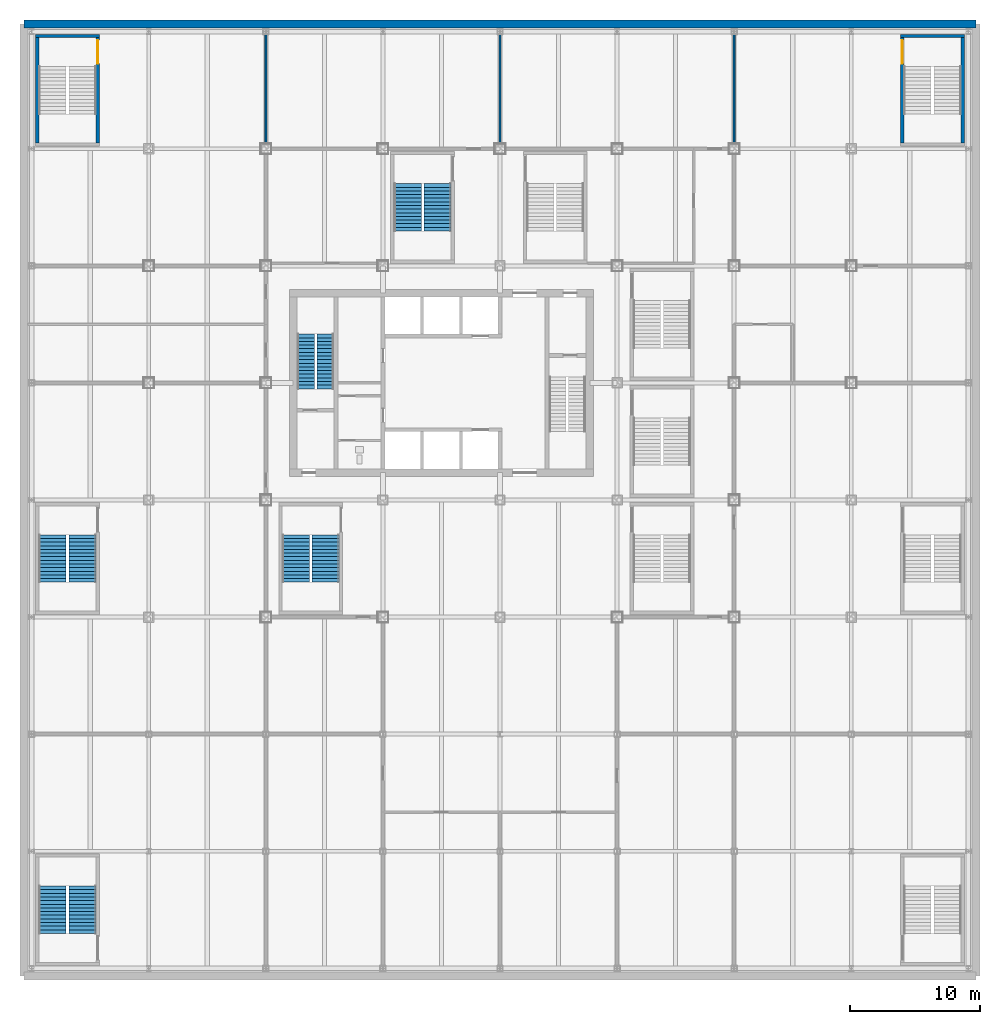
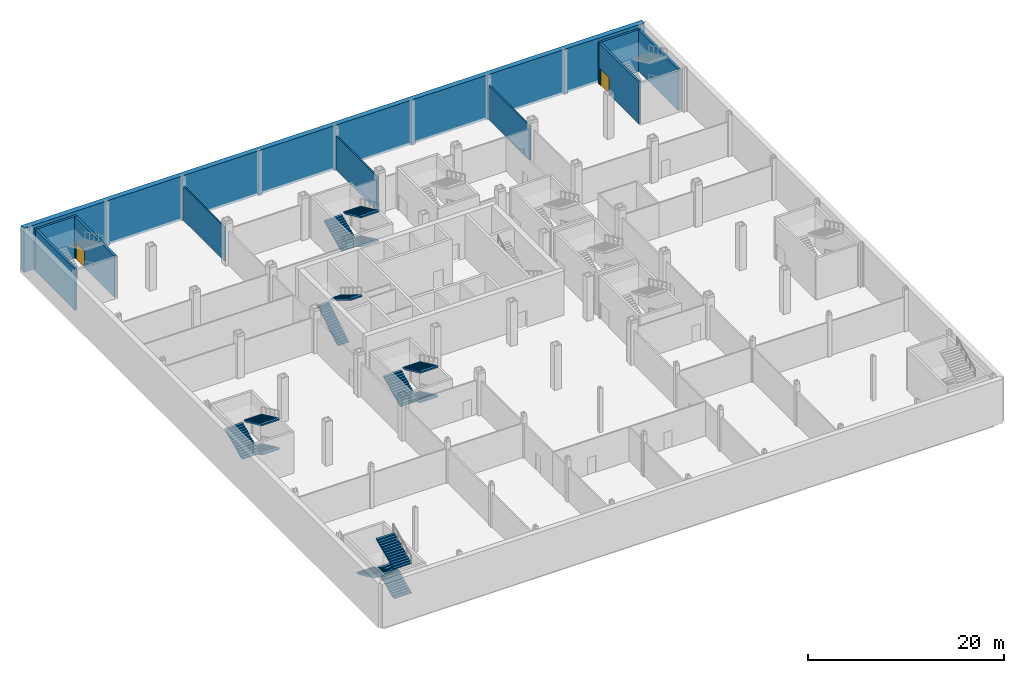
# One storey, part 12 of 27: 14 stair flights, 10 walls, 2 doors, 2 openings, 5 elements without a shape of their own.
"""IFC4 building model written with IfcOpenShell, lengths in metres."""

from ifc_helpers import new_model, si_unit, direction, frame, frame_2d, origin, place, context, subcontext, project, spatial, polyline, rectangle, outline, extrude, material, layer, layer_set, type_object, element, fill, aggregate, save


model = new_model("IFC4")

# Units and contexts
model_context = context("Model", 3, precision=1e-05, world=origin(), true_north=direction((0.0, 1.0)))
body_context = subcontext(model_context, "Body", "Model", "MODEL_VIEW")
ifc_project = project(units=[si_unit("LENGTHUNIT", "METRE"), si_unit("AREAUNIT", "SQUARE_METRE"), si_unit("VOLUMEUNIT", "CUBIC_METRE"), si_unit("PLANEANGLEUNIT", "RADIAN"), si_unit("MASSUNIT", "GRAM", prefix="KILO")], contexts=[model_context])

# Site, building, storey
site_placement = place(None, origin())
site = spatial("IfcSite", under=ifc_project, at=site_placement, CompositionType="ELEMENT")
building_placement = place(site_placement, origin())
building = spatial("IfcBuilding", under=site, at=building_placement, Name="Loomwork Tower", CompositionType="ELEMENT")
storey_placement = place(building_placement, frame((0.0, 0.0, -5.5)))
storey = spatial("IfcBuildingStorey", under=building, at=storey_placement, Name="B1", CompositionType="ELEMENT", Elevation=-5.5)

# Walls
ifc_material_1 = material(Name="Concrete 6000 psi (41 MPa)", Category="concrete")
ifc_layer_1 = layer(ifc_material_1, 0.60009765625)
ifc_layer_set_1 = layer_set([ifc_layer_1], Name="Basement retaining wall 600")
wall_type_1 = type_object("IfcWallType", Name="Basement retaining wall 600", PredefinedType="SOLIDWALL", material=ifc_layer_set_1)
wall_1_placement = place(storey_placement, frame((63.60009765625, 45.60009765625, -0.300048828125), z_axis=(0.0, 0.0, 1.0), x_axis=(-1.0, 0.0, 0.0)))
element("IfcWall", 1, at=wall_1_placement, inside=storey, type_object=wall_type_1, Name="Basement retaining wall N", PredefinedType="SOLIDWALL", context=body_context, shape_type="SweptSolid", body=[
    extrude(rectangle(XDim=73.2001953125, YDim=0.60009765625, at=frame_2d((36.60009765625, 0.0))), origin(), (0.0, 0.0, 1.0), 5.5),
])
ifc_material_2 = material(Name="Gypsum board on steel studs, one-hour", Category="steel")
ifc_layer_2 = layer(ifc_material_2, 0.14990234375)
ifc_layer_set_2 = layer_set([ifc_layer_2], Name="Partition 150")
wall_type_2 = type_object("IfcWallType", Name="Partition 150", PredefinedType="PARTITIONING", material=ifc_layer_set_2)
for number, where, z_axis, x_axis, name in (
    (2, (9.0, 36.39990234375, 0.0), (0.0, 0.0, 1.0), (0.0, 1.0, 0.0), "Partition B1 15.1"),
    (3, (27.0, 44.800537109375, 0.0), (0.0, 0.0, 1.0), (0.0, -1.0, 0.0), "Partition B1 23.1"),
    (4, (45.0, 44.800537109375, 0.0), (0.0, 0.0, 1.0), (0.0, -1.0, 0.0), "Partition B1 41.1"),
):
    element("IfcWall", number, at=place(storey_placement, frame(where, z_axis=z_axis, x_axis=x_axis)), inside=storey, type_object=wall_type_2, Name=name, PredefinedType="PARTITIONING", context=body_context, shape_type="SweptSolid", body=[
        extrude(rectangle(XDim=8.400634765625, YDim=0.14990234375, at=frame_2d((4.2001953125, 0.0))), origin(), (0.0, 0.0, 1.0), 4.252685546875),
    ])
ifc_material_3 = material(Name="Concrete masonry, two-hour", Category="masonry")
ifc_layer_3 = layer(ifc_material_3, 0.25)
ifc_layer_set_3 = layer_set([ifc_layer_3], Name="Stair enclosure wall 250")
wall_type_3 = type_object("IfcWallType", Name="Stair enclosure wall 250", PredefinedType="SOLIDWALL", material=ifc_layer_set_3)
wall_2_placement = place(storey_placement, frame((-8.699951171875, 44.675048828125, 0.0), z_axis=(0.0, 0.0, 1.0), x_axis=(1.0, 0.0, 0.0)))
element("IfcWall", 5, at=wall_2_placement, inside=storey, type_object=wall_type_3, Name="Stair PS3 enclosure wall N B1", PredefinedType="SOLIDWALL", context=body_context, shape_type="SweptSolid", body=[
    extrude(rectangle(XDim=4.89990234375, YDim=0.25, at=frame_2d((2.449951171875, 0.0))), origin(), (0.0, 0.0, 1.0), 5.199951171875),
])
wall_3_placement = place(storey_placement, frame((-8.574951171875, 36.449951171875, 0.0), z_axis=(0.0, 0.0, 1.0), x_axis=(0.0, 1.0, 0.0)))
element("IfcWall", 6, at=wall_3_placement, inside=storey, type_object=wall_type_3, Name="Stair PS3 enclosure wall W B1", PredefinedType="SOLIDWALL", context=body_context, shape_type="SweptSolid", body=[
    extrude(rectangle(XDim=8.10009765625, YDim=0.25, at=frame_2d((4.050048828125, 0.0))), origin(), (0.0, 0.0, 1.0), 5.199951171875),
])

# Wall, opening, door
wall_4_placement = place(storey_placement, frame((-3.925048828125, 36.449951171875, 0.0), z_axis=(0.0, 0.0, 1.0), x_axis=(0.0, 1.0, 0.0)))
wall_4 = element("IfcWall", 7, at=wall_4_placement, inside=storey, type_object=wall_type_3, Name="Stair PS3 enclosure wall E B1", PredefinedType="SOLIDWALL", context=body_context, shape_type="SweptSolid", body=[
    extrude(rectangle(XDim=8.10009765625, YDim=0.25, at=frame_2d((4.050048828125, 0.0))), origin(), (0.0, 0.0, 1.0), 5.199951171875),
])
opening_1_placement = place(wall_4_placement, frame((6.10009765625, 0.0, 0.0)))
opening_1 = element("IfcOpeningElement", 8, at=opening_1_placement, cuts=wall_4, Name="Opening D14", PredefinedType="OPENING", context=body_context, shape_type="SweptSolid", body=[
    extrude(rectangle(XDim=1.800048828125, YDim=2.10009765625, at=frame_2d((0.89990234375, 1.050048828125))), frame((0.0, 0.135009765625, 0.0), z_axis=(0.0, -1.0, 0.0), x_axis=(1.0, 0.0, 0.0)), (0.0, 0.0, 1.0), 0.27001953125),
])
ifc_material_4 = material(Name="Hollow metal door and frame")
door_type = type_object("IfcDoorType", Name="Stair double door 1800", OperationType="DOUBLE_DOOR_SINGLE_SWING", PredefinedType="DOOR", material=ifc_material_4)
door_1_placement = place(opening_1_placement, origin())
door_1 = element("IfcDoor", 9, at=door_1_placement, inside=storey, type_object=door_type, Name="Stair PS3 door B1", OperationType="DOUBLE_DOOR_SINGLE_SWING", OverallHeight=2.10009765625, OverallWidth=1.800048828125, PredefinedType="DOOR", context=body_context, shape_type="SweptSolid", body=[
    extrude(rectangle(XDim=1.800048828125, YDim=2.10009765625, at=frame_2d((0.89990234375, 1.050048828125))), frame((0.0, 0.02490234375, 0.0), z_axis=(0.0, -1.0, 0.0), x_axis=(1.0, 0.0, 0.0)), (0.0, 0.0, 1.0), 0.050048828125),
])
fill(opening_1, door_1)

# Wall
wall_5_placement = place(storey_placement, frame((57.800048828125, 44.675048828125, 0.0), z_axis=(0.0, 0.0, 1.0), x_axis=(1.0, 0.0, 0.0)))
element("IfcWall", 10, at=wall_5_placement, inside=storey, type_object=wall_type_3, Name="Stair PS4 enclosure wall N B1", PredefinedType="SOLIDWALL", context=body_context, shape_type="SweptSolid", body=[
    extrude(rectangle(XDim=4.89990234375, YDim=0.25, at=frame_2d((2.449951171875, 0.0))), origin(), (0.0, 0.0, 1.0), 5.199951171875),
])

# Wall, opening, door
wall_6_placement = place(storey_placement, frame((57.925048828125, 36.449951171875, 0.0), z_axis=(0.0, 0.0, 1.0), x_axis=(0.0, 1.0, 0.0)))
wall_6 = element("IfcWall", 11, at=wall_6_placement, inside=storey, type_object=wall_type_3, Name="Stair PS4 enclosure wall W B1", PredefinedType="SOLIDWALL", context=body_context, shape_type="SweptSolid", body=[
    extrude(rectangle(XDim=8.10009765625, YDim=0.25, at=frame_2d((4.050048828125, 0.0))), origin(), (0.0, 0.0, 1.0), 5.199951171875),
])
opening_2_placement = place(wall_6_placement, frame((6.10009765625, 0.0, 0.0)))
opening_2 = element("IfcOpeningElement", 12, at=opening_2_placement, cuts=wall_6, Name="Opening D14", PredefinedType="OPENING", context=body_context, shape_type="SweptSolid", body=[
    extrude(rectangle(XDim=1.800048828125, YDim=2.10009765625, at=frame_2d((0.89990234375, 1.050048828125))), frame((0.0, 0.135009765625, 0.0), z_axis=(0.0, -1.0, 0.0), x_axis=(1.0, 0.0, 0.0)), (0.0, 0.0, 1.0), 0.27001953125),
])
door_2_placement = place(opening_2_placement, frame((1.800048828125, 0.0, 0.0), z_axis=(0.0, 0.0, 1.0), x_axis=(-1.0, 0.0, 0.0)))
door_2 = element("IfcDoor", 13, at=door_2_placement, inside=storey, type_object=door_type, Name="Stair PS4 door B1", OperationType="DOUBLE_DOOR_SINGLE_SWING", OverallHeight=2.10009765625, OverallWidth=1.800048828125, PredefinedType="DOOR", context=body_context, shape_type="SweptSolid", body=[
    extrude(rectangle(XDim=1.800048828125, YDim=2.10009765625, at=frame_2d((0.89990234375, 1.050048828125))), frame((0.0, 0.02490234375, 0.0), z_axis=(0.0, -1.0, 0.0), x_axis=(1.0, 0.0, 0.0)), (0.0, 0.0, 1.0), 0.050048828125),
])
fill(opening_2, door_2)

# Wall
wall_7_placement = place(storey_placement, frame((62.574951171875, 36.449951171875, 0.0), z_axis=(0.0, 0.0, 1.0), x_axis=(0.0, 1.0, 0.0)))
element("IfcWall", 14, at=wall_7_placement, inside=storey, type_object=wall_type_3, Name="Stair PS4 enclosure wall E B1", PredefinedType="SOLIDWALL", context=body_context, shape_type="SweptSolid", body=[
    extrude(rectangle(XDim=8.10009765625, YDim=0.25, at=frame_2d((4.050048828125, 0.0))), origin(), (0.0, 0.0, 1.0), 5.199951171875),
])

# Stair, stair flights
ifc_material_5 = material(Name="Concrete 5000 psi (34 MPa) precast stair", Category="concrete")
stair_type_1 = type_object("IfcStairType", Name="Stair ST-A 32 risers 2850 wide", PredefinedType="HALF_TURN_STAIR", material=ifc_material_5)
stair_1_placement = place(storey_placement, origin())
stair_1 = element("IfcStair", 15, at=stair_1_placement, inside=storey, type_object=stair_type_1, Name="Stair A B1", PredefinedType="HALF_TURN_STAIR")
ifc_material_6 = material(Name="Concrete 5000 psi (34 MPa) precast stair", Category="concrete")
stair_flight_type_1 = type_object("IfcStairFlightType", Name="Stair flight ST-A 16 risers 1300 wide", PredefinedType="STRAIGHT", material=ifc_material_6)
stair_flight_1_placement = place(storey_placement, frame((12.074951171875, 17.550048828125, 0.0), z_axis=(0.0, 0.0, 1.0), x_axis=(0.0, 1.0, 0.0)))
stair_flight_1 = element("IfcStairFlight", 16, at=stair_flight_1_placement, type_object=stair_flight_type_1, Name="ST-A flight 1", NumberOfRisers=16, NumberOfTreads=15, PredefinedType="STRAIGHT", RiserHeight=0.171875, TreadLength=0.28, context=body_context, shape_type="SweptSolid", body=[
    extrude(outline(polyline([(0.0, 0.0), (0.0, 0.171875), (0.280029296875, 0.171875), (0.280029296875, 0.34375), (0.56005859375, 0.34375), (0.56005859375, 0.515625), (0.840087890625, 0.515625), (0.840087890625, 0.6875), (1.1201171875, 0.6875), (1.1201171875, 0.859375), (1.39990234375, 0.859375), (1.39990234375, 1.03125), (1.679931640625, 1.03125), (1.679931640625, 1.203125), (1.9599609375, 1.203125), (1.9599609375, 1.375), (2.239990234375, 1.375), (2.239990234375, 1.546875), (2.52001953125, 1.546875), (2.52001953125, 1.71875), (2.800048828125, 1.71875), (2.800048828125, 1.890625), (3.080078125, 1.890625), (3.080078125, 2.0625), (3.360107421875, 2.0625), (3.360107421875, 2.234375), (3.639892578125, 2.234375), (3.639892578125, 2.40625), (3.919921875, 2.40625), (3.919921875, 2.578125), (4.199951171875, 2.578125), (4.199951171875, 2.75), (4.199951171875, 2.40234375), (0.28662109375, 0.0), (0.0, 0.0)])), frame((0.0, 0.64990234375, 0.0), z_axis=(0.0, -1.0, 0.0), x_axis=(1.0, 0.0, 0.0)), (0.0, 0.0, 1.0), 1.300048828125),
])
stair_flight_2_placement = place(storey_placement, frame((13.574951171875, 21.75, 2.75), z_axis=(0.0, 0.0, 1.0), x_axis=(0.0, -1.0, 0.0)))
stair_flight_2 = element("IfcStairFlight", 17, at=stair_flight_2_placement, type_object=stair_flight_type_1, Name="ST-A flight 2", NumberOfRisers=16, NumberOfTreads=15, PredefinedType="STRAIGHT", RiserHeight=0.171875, TreadLength=0.28, context=body_context, shape_type="SweptSolid", body=[
    extrude(outline(polyline([(0.0, 0.0), (0.0, 0.171875), (0.280029296875, 0.171875), (0.280029296875, 0.34375), (0.56005859375, 0.34375), (0.56005859375, 0.515625), (0.840087890625, 0.515625), (0.840087890625, 0.6875), (1.1201171875, 0.6875), (1.1201171875, 0.859375), (1.39990234375, 0.859375), (1.39990234375, 1.03125), (1.679931640625, 1.03125), (1.679931640625, 1.203125), (1.9599609375, 1.203125), (1.9599609375, 1.375), (2.239990234375, 1.375), (2.239990234375, 1.546875), (2.52001953125, 1.546875), (2.52001953125, 1.71875), (2.800048828125, 1.71875), (2.800048828125, 1.890625), (3.080078125, 1.890625), (3.080078125, 2.0625), (3.360107421875, 2.0625), (3.360107421875, 2.234375), (3.639892578125, 2.234375), (3.639892578125, 2.40625), (3.919921875, 2.40625), (3.919921875, 2.578125), (4.199951171875, 2.578125), (4.199951171875, 2.75), (4.199951171875, 2.40234375), (0.28662109375, 0.0), (0.0, 0.0)])), frame((0.0, 0.64990234375, 0.0), z_axis=(0.0, -1.0, 0.0), x_axis=(1.0, 0.0, 0.0)), (0.0, 0.0, 1.0), 1.300048828125),
])
aggregate(stair_1, [stair_flight_1, stair_flight_2])

ifc_material_7 = material(Name="Concrete 5000 psi (34 MPa) precast stair", Category="concrete")
stair_type_2 = type_object("IfcStairType", Name="Stair ST-S10P 42 risers of 131 4400 wide", PredefinedType="HALF_TURN_STAIR", material=ifc_material_7)
stair_2_placement = place(storey_placement, origin())
stair_2 = element("IfcStair", 18, at=stair_2_placement, inside=storey, type_object=stair_type_2, Name="Podium stair PS10 B1", PredefinedType="HALF_TURN_STAIR")
ifc_material_8 = material(Name="Concrete 5000 psi (34 MPa) precast stair", Category="concrete")
stair_flight_type_2 = type_object("IfcStairFlightType", Name="Stair flight ST-S10P 14 risers of 131 2100 wide", PredefinedType="STRAIGHT", material=ifc_material_8)
stair_flight_3_placement = place(storey_placement, frame((22.199951171875, 33.320068359375, 0.0), z_axis=(0.0, 0.0, 1.0), x_axis=(0.0, -1.0, 0.0)))
stair_flight_3 = element("IfcStairFlight", 19, at=stair_flight_3_placement, type_object=stair_flight_type_2, Name="ST-S10P flight 1", NumberOfRisers=14, NumberOfTreads=13, PredefinedType="STRAIGHT", RiserHeight=0.130952381, TreadLength=0.28, context=body_context, shape_type="SweptSolid", body=[
    extrude(outline(polyline([(0.0, 0.0), (0.0, 0.130859375), (0.280029296875, 0.130859375), (0.280029296875, 0.261962890625), (0.56005859375, 0.261962890625), (0.56005859375, 0.392822265625), (0.840087890625, 0.392822265625), (0.840087890625, 0.52392578125), (1.1201171875, 0.52392578125), (1.1201171875, 0.65478515625), (1.39990234375, 0.65478515625), (1.39990234375, 0.78564453125), (1.679931640625, 0.78564453125), (1.679931640625, 0.916748046875), (1.9599609375, 0.916748046875), (1.9599609375, 1.047607421875), (2.239990234375, 1.047607421875), (2.239990234375, 1.178466796875), (2.52001953125, 1.178466796875), (2.52001953125, 1.3095703125), (2.800048828125, 1.3095703125), (2.800048828125, 1.4404296875), (3.080078125, 1.4404296875), (3.080078125, 1.571533203125), (3.360107421875, 1.571533203125), (3.360107421875, 1.702392578125), (3.639892578125, 1.702392578125), (3.639892578125, 1.833251953125), (3.639892578125, 1.536865234375), (0.353759765625, 0.0), (0.0, 0.0)])), frame((0.0, 1.050048828125, 0.0), z_axis=(0.0, -1.0, 0.0), x_axis=(1.0, 0.0, 0.0)), (0.0, 0.0, 1.0), 2.10009765625),
])
stair_flight_4_placement = place(storey_placement, frame((19.89990234375, 29.679931640625, 1.833251953125), z_axis=(0.0, 0.0, 1.0), x_axis=(0.0, 1.0, 0.0)))
stair_flight_4 = element("IfcStairFlight", 20, at=stair_flight_4_placement, type_object=stair_flight_type_2, Name="ST-S10P flight 2", NumberOfRisers=14, NumberOfTreads=13, PredefinedType="STRAIGHT", RiserHeight=0.130952381, TreadLength=0.28, context=body_context, shape_type="SweptSolid", body=[
    extrude(outline(polyline([(0.0, 0.0), (0.0, 0.130859375), (0.280029296875, 0.130859375), (0.280029296875, 0.261962890625), (0.56005859375, 0.261962890625), (0.56005859375, 0.392822265625), (0.840087890625, 0.392822265625), (0.840087890625, 0.52392578125), (1.1201171875, 0.52392578125), (1.1201171875, 0.65478515625), (1.39990234375, 0.65478515625), (1.39990234375, 0.78564453125), (1.679931640625, 0.78564453125), (1.679931640625, 0.916748046875), (1.9599609375, 0.916748046875), (1.9599609375, 1.047607421875), (2.239990234375, 1.047607421875), (2.239990234375, 1.178466796875), (2.52001953125, 1.178466796875), (2.52001953125, 1.3095703125), (2.800048828125, 1.3095703125), (2.800048828125, 1.4404296875), (3.080078125, 1.4404296875), (3.080078125, 1.571533203125), (3.360107421875, 1.571533203125), (3.360107421875, 1.702392578125), (3.639892578125, 1.702392578125), (3.639892578125, 1.833251953125), (3.639892578125, 1.536865234375), (0.353759765625, 0.0), (0.0, 0.0)])), frame((0.0, 1.050048828125, 0.0), z_axis=(0.0, -1.0, 0.0), x_axis=(1.0, 0.0, 0.0)), (0.0, 0.0, 1.0), 2.10009765625),
])
stair_flight_5_placement = place(storey_placement, frame((22.199951171875, 33.320068359375, 3.666748046875), z_axis=(0.0, 0.0, 1.0), x_axis=(0.0, -1.0, 0.0)))
stair_flight_5 = element("IfcStairFlight", 21, at=stair_flight_5_placement, type_object=stair_flight_type_2, Name="ST-S10P flight 3", NumberOfRisers=14, NumberOfTreads=13, PredefinedType="STRAIGHT", RiserHeight=0.130952381, TreadLength=0.28, context=body_context, shape_type="SweptSolid", body=[
    extrude(outline(polyline([(0.0, 0.0), (0.0, 0.130859375), (0.280029296875, 0.130859375), (0.280029296875, 0.261962890625), (0.56005859375, 0.261962890625), (0.56005859375, 0.392822265625), (0.840087890625, 0.392822265625), (0.840087890625, 0.52392578125), (1.1201171875, 0.52392578125), (1.1201171875, 0.65478515625), (1.39990234375, 0.65478515625), (1.39990234375, 0.78564453125), (1.679931640625, 0.78564453125), (1.679931640625, 0.916748046875), (1.9599609375, 0.916748046875), (1.9599609375, 1.047607421875), (2.239990234375, 1.047607421875), (2.239990234375, 1.178466796875), (2.52001953125, 1.178466796875), (2.52001953125, 1.3095703125), (2.800048828125, 1.3095703125), (2.800048828125, 1.4404296875), (3.080078125, 1.4404296875), (3.080078125, 1.571533203125), (3.360107421875, 1.571533203125), (3.360107421875, 1.702392578125), (3.639892578125, 1.702392578125), (3.639892578125, 1.833251953125), (3.639892578125, 1.536865234375), (0.353759765625, 0.0), (0.0, 0.0)])), frame((0.0, 1.050048828125, 0.0), z_axis=(0.0, -1.0, 0.0), x_axis=(1.0, 0.0, 0.0)), (0.0, 0.0, 1.0), 2.10009765625),
])
aggregate(stair_2, [stair_flight_3, stair_flight_4, stair_flight_5])

ifc_material_9 = material(Name="Concrete 5000 psi (34 MPa) precast stair", Category="concrete")
stair_type_3 = type_object("IfcStairType", Name="Stair ST-S12P 42 risers of 131 4400 wide", PredefinedType="HALF_TURN_STAIR", material=ifc_material_9)
stair_3_placement = place(storey_placement, origin())
stair_3 = element("IfcStair", 22, at=stair_3_placement, inside=storey, type_object=stair_type_3, Name="Podium stair PS12 B1", PredefinedType="HALF_TURN_STAIR")
ifc_material_10 = material(Name="Concrete 5000 psi (34 MPa) precast stair", Category="concrete")
stair_flight_type_3 = type_object("IfcStairFlightType", Name="Stair flight ST-S12P 14 risers of 131 2100 wide", PredefinedType="STRAIGHT", material=ifc_material_10)
stair_flight_6_placement = place(storey_placement, frame((13.60009765625, 6.320068359375, 0.0), z_axis=(0.0, 0.0, 1.0), x_axis=(0.0, -1.0, 0.0)))
stair_flight_6 = element("IfcStairFlight", 23, at=stair_flight_6_placement, type_object=stair_flight_type_3, Name="ST-S12P flight 1", NumberOfRisers=14, NumberOfTreads=13, PredefinedType="STRAIGHT", RiserHeight=0.130952381, TreadLength=0.28, context=body_context, shape_type="SweptSolid", body=[
    extrude(outline(polyline([(0.0, 0.0), (0.0, 0.130859375), (0.280029296875, 0.130859375), (0.280029296875, 0.261962890625), (0.56005859375, 0.261962890625), (0.56005859375, 0.392822265625), (0.840087890625, 0.392822265625), (0.840087890625, 0.52392578125), (1.1201171875, 0.52392578125), (1.1201171875, 0.65478515625), (1.39990234375, 0.65478515625), (1.39990234375, 0.78564453125), (1.679931640625, 0.78564453125), (1.679931640625, 0.916748046875), (1.9599609375, 0.916748046875), (1.9599609375, 1.047607421875), (2.239990234375, 1.047607421875), (2.239990234375, 1.178466796875), (2.52001953125, 1.178466796875), (2.52001953125, 1.3095703125), (2.800048828125, 1.3095703125), (2.800048828125, 1.4404296875), (3.080078125, 1.4404296875), (3.080078125, 1.571533203125), (3.360107421875, 1.571533203125), (3.360107421875, 1.702392578125), (3.639892578125, 1.702392578125), (3.639892578125, 1.833251953125), (3.639892578125, 1.536865234375), (0.353759765625, 0.0), (0.0, 0.0)])), frame((0.0, 1.050048828125, 0.0), z_axis=(0.0, -1.0, 0.0), x_axis=(1.0, 0.0, 0.0)), (0.0, 0.0, 1.0), 2.10009765625),
])
stair_flight_7_placement = place(storey_placement, frame((11.300048828125, 2.679931640625, 1.833251953125), z_axis=(0.0, 0.0, 1.0), x_axis=(0.0, 1.0, 0.0)))
stair_flight_7 = element("IfcStairFlight", 24, at=stair_flight_7_placement, type_object=stair_flight_type_3, Name="ST-S12P flight 2", NumberOfRisers=14, NumberOfTreads=13, PredefinedType="STRAIGHT", RiserHeight=0.130952381, TreadLength=0.28, context=body_context, shape_type="SweptSolid", body=[
    extrude(outline(polyline([(0.0, 0.0), (0.0, 0.130859375), (0.280029296875, 0.130859375), (0.280029296875, 0.261962890625), (0.56005859375, 0.261962890625), (0.56005859375, 0.392822265625), (0.840087890625, 0.392822265625), (0.840087890625, 0.52392578125), (1.1201171875, 0.52392578125), (1.1201171875, 0.65478515625), (1.39990234375, 0.65478515625), (1.39990234375, 0.78564453125), (1.679931640625, 0.78564453125), (1.679931640625, 0.916748046875), (1.9599609375, 0.916748046875), (1.9599609375, 1.047607421875), (2.239990234375, 1.047607421875), (2.239990234375, 1.178466796875), (2.52001953125, 1.178466796875), (2.52001953125, 1.3095703125), (2.800048828125, 1.3095703125), (2.800048828125, 1.4404296875), (3.080078125, 1.4404296875), (3.080078125, 1.571533203125), (3.360107421875, 1.571533203125), (3.360107421875, 1.702392578125), (3.639892578125, 1.702392578125), (3.639892578125, 1.833251953125), (3.639892578125, 1.536865234375), (0.353759765625, 0.0), (0.0, 0.0)])), frame((0.0, 1.050048828125, 0.0), z_axis=(0.0, -1.0, 0.0), x_axis=(1.0, 0.0, 0.0)), (0.0, 0.0, 1.0), 2.10009765625),
])
stair_flight_8_placement = place(storey_placement, frame((13.60009765625, 6.320068359375, 3.666748046875), z_axis=(0.0, 0.0, 1.0), x_axis=(0.0, -1.0, 0.0)))
stair_flight_8 = element("IfcStairFlight", 25, at=stair_flight_8_placement, type_object=stair_flight_type_3, Name="ST-S12P flight 3", NumberOfRisers=14, NumberOfTreads=13, PredefinedType="STRAIGHT", RiserHeight=0.130952381, TreadLength=0.28, context=body_context, shape_type="SweptSolid", body=[
    extrude(outline(polyline([(0.0, 0.0), (0.0, 0.130859375), (0.280029296875, 0.130859375), (0.280029296875, 0.261962890625), (0.56005859375, 0.261962890625), (0.56005859375, 0.392822265625), (0.840087890625, 0.392822265625), (0.840087890625, 0.52392578125), (1.1201171875, 0.52392578125), (1.1201171875, 0.65478515625), (1.39990234375, 0.65478515625), (1.39990234375, 0.78564453125), (1.679931640625, 0.78564453125), (1.679931640625, 0.916748046875), (1.9599609375, 0.916748046875), (1.9599609375, 1.047607421875), (2.239990234375, 1.047607421875), (2.239990234375, 1.178466796875), (2.52001953125, 1.178466796875), (2.52001953125, 1.3095703125), (2.800048828125, 1.3095703125), (2.800048828125, 1.4404296875), (3.080078125, 1.4404296875), (3.080078125, 1.571533203125), (3.360107421875, 1.571533203125), (3.360107421875, 1.702392578125), (3.639892578125, 1.702392578125), (3.639892578125, 1.833251953125), (3.639892578125, 1.536865234375), (0.353759765625, 0.0), (0.0, 0.0)])), frame((0.0, 1.050048828125, 0.0), z_axis=(0.0, -1.0, 0.0), x_axis=(1.0, 0.0, 0.0)), (0.0, 0.0, 1.0), 2.10009765625),
])
aggregate(stair_3, [stair_flight_6, stair_flight_7, stair_flight_8])

ifc_material_11 = material(Name="Concrete 5000 psi (34 MPa) precast stair", Category="concrete")
stair_type_4 = type_object("IfcStairType", Name="Stair ST-S1P 42 risers of 131 4400 wide", PredefinedType="HALF_TURN_STAIR", material=ifc_material_11)
stair_4_placement = place(storey_placement, origin())
stair_4 = element("IfcStair", 26, at=stair_4_placement, inside=storey, type_object=stair_type_4, Name="Podium stair PS1 B1", PredefinedType="HALF_TURN_STAIR")
ifc_material_12 = material(Name="Concrete 5000 psi (34 MPa) precast stair", Category="concrete")
stair_flight_type_4 = type_object("IfcStairFlightType", Name="Stair flight ST-S1P 14 risers of 131 2100 wide", PredefinedType="STRAIGHT", material=ifc_material_12)
stair_flight_9_placement = place(storey_placement, frame((-5.10009765625, -24.320068359375, 0.0), z_axis=(0.0, 0.0, 1.0), x_axis=(0.0, 1.0, 0.0)))
stair_flight_9 = element("IfcStairFlight", 27, at=stair_flight_9_placement, type_object=stair_flight_type_4, Name="ST-S1P flight 1", NumberOfRisers=14, NumberOfTreads=13, PredefinedType="STRAIGHT", RiserHeight=0.130952381, TreadLength=0.28, context=body_context, shape_type="SweptSolid", body=[
    extrude(outline(polyline([(0.0, 0.0), (0.0, 0.130859375), (0.280029296875, 0.130859375), (0.280029296875, 0.261962890625), (0.56005859375, 0.261962890625), (0.56005859375, 0.392822265625), (0.840087890625, 0.392822265625), (0.840087890625, 0.52392578125), (1.1201171875, 0.52392578125), (1.1201171875, 0.65478515625), (1.39990234375, 0.65478515625), (1.39990234375, 0.78564453125), (1.679931640625, 0.78564453125), (1.679931640625, 0.916748046875), (1.9599609375, 0.916748046875), (1.9599609375, 1.047607421875), (2.239990234375, 1.047607421875), (2.239990234375, 1.178466796875), (2.52001953125, 1.178466796875), (2.52001953125, 1.3095703125), (2.800048828125, 1.3095703125), (2.800048828125, 1.4404296875), (3.080078125, 1.4404296875), (3.080078125, 1.571533203125), (3.360107421875, 1.571533203125), (3.360107421875, 1.702392578125), (3.639892578125, 1.702392578125), (3.639892578125, 1.833251953125), (3.639892578125, 1.536865234375), (0.353759765625, 0.0), (0.0, 0.0)])), frame((0.0, 1.050048828125, 0.0), z_axis=(0.0, -1.0, 0.0), x_axis=(1.0, 0.0, 0.0)), (0.0, 0.0, 1.0), 2.10009765625),
])
stair_flight_10_placement = place(storey_placement, frame((-7.39990234375, -20.679931640625, 1.833251953125), z_axis=(0.0, 0.0, 1.0), x_axis=(0.0, -1.0, 0.0)))
stair_flight_10 = element("IfcStairFlight", 28, at=stair_flight_10_placement, type_object=stair_flight_type_4, Name="ST-S1P flight 2", NumberOfRisers=14, NumberOfTreads=13, PredefinedType="STRAIGHT", RiserHeight=0.130952381, TreadLength=0.28, context=body_context, shape_type="SweptSolid", body=[
    extrude(outline(polyline([(0.0, 0.0), (0.0, 0.130859375), (0.280029296875, 0.130859375), (0.280029296875, 0.261962890625), (0.56005859375, 0.261962890625), (0.56005859375, 0.392822265625), (0.840087890625, 0.392822265625), (0.840087890625, 0.52392578125), (1.1201171875, 0.52392578125), (1.1201171875, 0.65478515625), (1.39990234375, 0.65478515625), (1.39990234375, 0.78564453125), (1.679931640625, 0.78564453125), (1.679931640625, 0.916748046875), (1.9599609375, 0.916748046875), (1.9599609375, 1.047607421875), (2.239990234375, 1.047607421875), (2.239990234375, 1.178466796875), (2.52001953125, 1.178466796875), (2.52001953125, 1.3095703125), (2.800048828125, 1.3095703125), (2.800048828125, 1.4404296875), (3.080078125, 1.4404296875), (3.080078125, 1.571533203125), (3.360107421875, 1.571533203125), (3.360107421875, 1.702392578125), (3.639892578125, 1.702392578125), (3.639892578125, 1.833251953125), (3.639892578125, 1.536865234375), (0.353759765625, 0.0), (0.0, 0.0)])), frame((0.0, 1.050048828125, 0.0), z_axis=(0.0, -1.0, 0.0), x_axis=(1.0, 0.0, 0.0)), (0.0, 0.0, 1.0), 2.10009765625),
])
stair_flight_11_placement = place(storey_placement, frame((-5.10009765625, -24.320068359375, 3.666748046875), z_axis=(0.0, 0.0, 1.0), x_axis=(0.0, 1.0, 0.0)))
stair_flight_11 = element("IfcStairFlight", 29, at=stair_flight_11_placement, type_object=stair_flight_type_4, Name="ST-S1P flight 3", NumberOfRisers=14, NumberOfTreads=13, PredefinedType="STRAIGHT", RiserHeight=0.130952381, TreadLength=0.28, context=body_context, shape_type="SweptSolid", body=[
    extrude(outline(polyline([(0.0, 0.0), (0.0, 0.130859375), (0.280029296875, 0.130859375), (0.280029296875, 0.261962890625), (0.56005859375, 0.261962890625), (0.56005859375, 0.392822265625), (0.840087890625, 0.392822265625), (0.840087890625, 0.52392578125), (1.1201171875, 0.52392578125), (1.1201171875, 0.65478515625), (1.39990234375, 0.65478515625), (1.39990234375, 0.78564453125), (1.679931640625, 0.78564453125), (1.679931640625, 0.916748046875), (1.9599609375, 0.916748046875), (1.9599609375, 1.047607421875), (2.239990234375, 1.047607421875), (2.239990234375, 1.178466796875), (2.52001953125, 1.178466796875), (2.52001953125, 1.3095703125), (2.800048828125, 1.3095703125), (2.800048828125, 1.4404296875), (3.080078125, 1.4404296875), (3.080078125, 1.571533203125), (3.360107421875, 1.571533203125), (3.360107421875, 1.702392578125), (3.639892578125, 1.702392578125), (3.639892578125, 1.833251953125), (3.639892578125, 1.536865234375), (0.353759765625, 0.0), (0.0, 0.0)])), frame((0.0, 1.050048828125, 0.0), z_axis=(0.0, -1.0, 0.0), x_axis=(1.0, 0.0, 0.0)), (0.0, 0.0, 1.0), 2.10009765625),
])
aggregate(stair_4, [stair_flight_9, stair_flight_10, stair_flight_11])

ifc_material_13 = material(Name="Concrete 5000 psi (34 MPa) precast stair", Category="concrete")
stair_type_5 = type_object("IfcStairType", Name="Stair ST-S5P 42 risers of 131 4400 wide", PredefinedType="HALF_TURN_STAIR", material=ifc_material_13)
stair_5_placement = place(storey_placement, origin())
stair_5 = element("IfcStair", 30, at=stair_5_placement, inside=storey, type_object=stair_type_5, Name="Podium stair PS5 B1", PredefinedType="HALF_TURN_STAIR")
ifc_material_14 = material(Name="Concrete 5000 psi (34 MPa) precast stair", Category="concrete")
stair_flight_type_5 = type_object("IfcStairFlightType", Name="Stair flight ST-S5P 14 risers of 131 2100 wide", PredefinedType="STRAIGHT", material=ifc_material_14)
stair_flight_12_placement = place(storey_placement, frame((-5.10009765625, 6.320068359375, 0.0), z_axis=(0.0, 0.0, 1.0), x_axis=(0.0, -1.0, 0.0)))
stair_flight_12 = element("IfcStairFlight", 31, at=stair_flight_12_placement, type_object=stair_flight_type_5, Name="ST-S5P flight 1", NumberOfRisers=14, NumberOfTreads=13, PredefinedType="STRAIGHT", RiserHeight=0.130952381, TreadLength=0.28, context=body_context, shape_type="SweptSolid", body=[
    extrude(outline(polyline([(0.0, 0.0), (0.0, 0.130859375), (0.280029296875, 0.130859375), (0.280029296875, 0.261962890625), (0.56005859375, 0.261962890625), (0.56005859375, 0.392822265625), (0.840087890625, 0.392822265625), (0.840087890625, 0.52392578125), (1.1201171875, 0.52392578125), (1.1201171875, 0.65478515625), (1.39990234375, 0.65478515625), (1.39990234375, 0.78564453125), (1.679931640625, 0.78564453125), (1.679931640625, 0.916748046875), (1.9599609375, 0.916748046875), (1.9599609375, 1.047607421875), (2.239990234375, 1.047607421875), (2.239990234375, 1.178466796875), (2.52001953125, 1.178466796875), (2.52001953125, 1.3095703125), (2.800048828125, 1.3095703125), (2.800048828125, 1.4404296875), (3.080078125, 1.4404296875), (3.080078125, 1.571533203125), (3.360107421875, 1.571533203125), (3.360107421875, 1.702392578125), (3.639892578125, 1.702392578125), (3.639892578125, 1.833251953125), (3.639892578125, 1.536865234375), (0.353759765625, 0.0), (0.0, 0.0)])), frame((0.0, 1.050048828125, 0.0), z_axis=(0.0, -1.0, 0.0), x_axis=(1.0, 0.0, 0.0)), (0.0, 0.0, 1.0), 2.10009765625),
])
stair_flight_13_placement = place(storey_placement, frame((-7.39990234375, 2.679931640625, 1.833251953125), z_axis=(0.0, 0.0, 1.0), x_axis=(0.0, 1.0, 0.0)))
stair_flight_13 = element("IfcStairFlight", 32, at=stair_flight_13_placement, type_object=stair_flight_type_5, Name="ST-S5P flight 2", NumberOfRisers=14, NumberOfTreads=13, PredefinedType="STRAIGHT", RiserHeight=0.130952381, TreadLength=0.28, context=body_context, shape_type="SweptSolid", body=[
    extrude(outline(polyline([(0.0, 0.0), (0.0, 0.130859375), (0.280029296875, 0.130859375), (0.280029296875, 0.261962890625), (0.56005859375, 0.261962890625), (0.56005859375, 0.392822265625), (0.840087890625, 0.392822265625), (0.840087890625, 0.52392578125), (1.1201171875, 0.52392578125), (1.1201171875, 0.65478515625), (1.39990234375, 0.65478515625), (1.39990234375, 0.78564453125), (1.679931640625, 0.78564453125), (1.679931640625, 0.916748046875), (1.9599609375, 0.916748046875), (1.9599609375, 1.047607421875), (2.239990234375, 1.047607421875), (2.239990234375, 1.178466796875), (2.52001953125, 1.178466796875), (2.52001953125, 1.3095703125), (2.800048828125, 1.3095703125), (2.800048828125, 1.4404296875), (3.080078125, 1.4404296875), (3.080078125, 1.571533203125), (3.360107421875, 1.571533203125), (3.360107421875, 1.702392578125), (3.639892578125, 1.702392578125), (3.639892578125, 1.833251953125), (3.639892578125, 1.536865234375), (0.353759765625, 0.0), (0.0, 0.0)])), frame((0.0, 1.050048828125, 0.0), z_axis=(0.0, -1.0, 0.0), x_axis=(1.0, 0.0, 0.0)), (0.0, 0.0, 1.0), 2.10009765625),
])
stair_flight_14_placement = place(storey_placement, frame((-5.10009765625, 6.320068359375, 3.666748046875), z_axis=(0.0, 0.0, 1.0), x_axis=(0.0, -1.0, 0.0)))
stair_flight_14 = element("IfcStairFlight", 33, at=stair_flight_14_placement, type_object=stair_flight_type_5, Name="ST-S5P flight 3", NumberOfRisers=14, NumberOfTreads=13, PredefinedType="STRAIGHT", RiserHeight=0.130952381, TreadLength=0.28, context=body_context, shape_type="SweptSolid", body=[
    extrude(outline(polyline([(0.0, 0.0), (0.0, 0.130859375), (0.280029296875, 0.130859375), (0.280029296875, 0.261962890625), (0.56005859375, 0.261962890625), (0.56005859375, 0.392822265625), (0.840087890625, 0.392822265625), (0.840087890625, 0.52392578125), (1.1201171875, 0.52392578125), (1.1201171875, 0.65478515625), (1.39990234375, 0.65478515625), (1.39990234375, 0.78564453125), (1.679931640625, 0.78564453125), (1.679931640625, 0.916748046875), (1.9599609375, 0.916748046875), (1.9599609375, 1.047607421875), (2.239990234375, 1.047607421875), (2.239990234375, 1.178466796875), (2.52001953125, 1.178466796875), (2.52001953125, 1.3095703125), (2.800048828125, 1.3095703125), (2.800048828125, 1.4404296875), (3.080078125, 1.4404296875), (3.080078125, 1.571533203125), (3.360107421875, 1.571533203125), (3.360107421875, 1.702392578125), (3.639892578125, 1.702392578125), (3.639892578125, 1.833251953125), (3.639892578125, 1.536865234375), (0.353759765625, 0.0), (0.0, 0.0)])), frame((0.0, 1.050048828125, 0.0), z_axis=(0.0, -1.0, 0.0), x_axis=(1.0, 0.0, 0.0)), (0.0, 0.0, 1.0), 2.10009765625),
])
aggregate(stair_5, [stair_flight_12, stair_flight_13, stair_flight_14])

save(model, "model.ifc")
